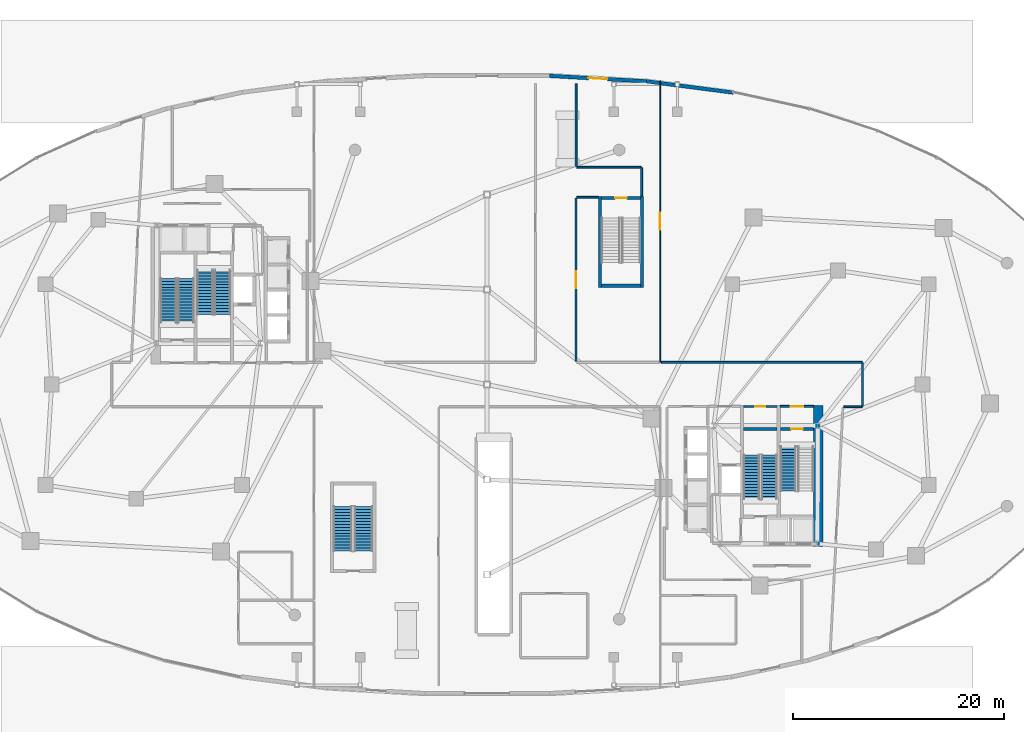
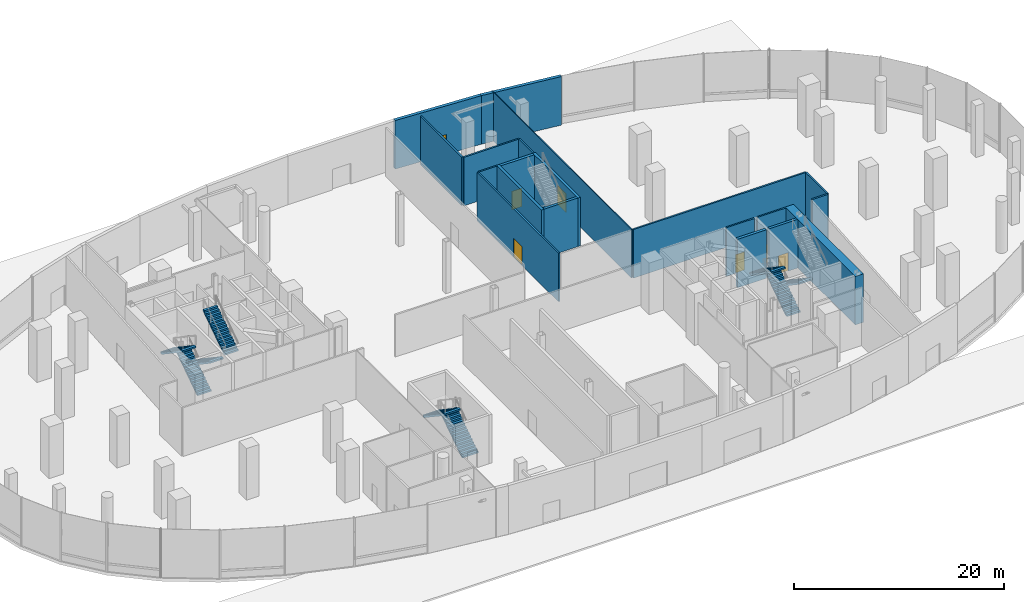
# One storey, part 16 of 20: 20 walls, 9 stair flights, 7 doors, 7 openings, 5 elements without a shape of their own.
"""IFC4 building model written with IfcOpenShell, lengths in metres."""

from ifc_helpers import new_model, si_unit, direction, frame, frame_2d, origin, place, context, subcontext, project, spatial, polyline, rectangle, outline, extrude, material, layer, layer_set, type_object, element, fill, aggregate, save


model = new_model("IFC4")

# Units and contexts
model_context = context("Model", 3, precision=1e-05, world=origin(), true_north=direction((0.0, 1.0)))
body_context = subcontext(model_context, "Body", "Model", "MODEL_VIEW")
ifc_project = project(units=[si_unit("LENGTHUNIT", "METRE"), si_unit("AREAUNIT", "SQUARE_METRE"), si_unit("VOLUMEUNIT", "CUBIC_METRE"), si_unit("PLANEANGLEUNIT", "RADIAN"), si_unit("MASSUNIT", "GRAM", prefix="KILO"), si_unit("THERMODYNAMICTEMPERATUREUNIT", "KELVIN"), si_unit("POWERUNIT", "WATT")], contexts=[model_context])

# Site, building, storey
site_placement = place(None, origin())
site = spatial("IfcSite", under=ifc_project, at=site_placement, CompositionType="ELEMENT")
building_placement = place(site_placement, origin())
building = spatial("IfcBuilding", under=site, at=building_placement, Name="Cundina Bronze Exchange", CompositionType="ELEMENT")
storey_placement = place(building_placement, origin())
storey = spatial("IfcBuildingStorey", under=building, at=storey_placement, Name="L00", CompositionType="ELEMENT", Elevation=0.0)

# Wall, opening, door
ifc_material_1 = material(Name="Gypsum Fireboard Partition EI120")
ifc_layer_1 = layer(ifc_material_1, 0.179931640625, Name="Gypsum Fireboard Partition EI120")
ifc_layer_set_1 = layer_set([ifc_layer_1], Name="Gypsum Fireboard Partition EI120")
wall_type_1 = type_object("IfcWallType", Name="WL-COR-180", PredefinedType="PARTITIONING", material=ifc_layer_set_1)
wall_1_placement = place(storey_placement, frame((27.739990234375, -2.06005859375, 0.0), z_axis=(0.0, 0.0, 1.0), x_axis=(1.0, 0.0, 0.0)))
wall_1 = element("IfcWall", 1, at=wall_1_placement, inside=storey, type_object=wall_type_1, Name="L00 E Stair Vestibule Exit Wall", PredefinedType="PARTITIONING", context=body_context, shape_type="SweptSolid", body=[
    extrude(rectangle(XDim=3.159912109375, YDim=0.179931640625, at=frame_2d((1.580078125, 0.0))), origin(), (0.0, 0.0, 1.0), 5.64990234375),
])
opening_1_placement = place(wall_1_placement, frame((0.97998046875, 0.0, 0.0)))
opening_1 = element("IfcOpeningElement", 2, at=opening_1_placement, cuts=wall_1, Name="Opening DF-01", PredefinedType="OPENING", context=body_context, shape_type="SweptSolid", body=[
    extrude(rectangle(XDim=1.199951171875, YDim=2.14990234375, at=frame_2d((0.60009765625, 1.074951171875))), frame((0.0, 0.099853515625, 0.0), z_axis=(0.0, -1.0, 0.0), x_axis=(1.0, 0.0, 0.0)), (0.0, 0.0, 1.0), 0.199951171875),
])
ifc_material_2 = material(Name="Steel ASTM A36 Painted", Category="steel")
door_type_1 = type_object("IfcDoorType", Name="DR-FFL-1200", OperationType="NOTDEFINED", PredefinedType="DOOR", material=ifc_material_2)
door_1_placement = place(opening_1_placement, origin())
door_1 = element("IfcDoor", 3, at=door_1_placement, inside=storey, type_object=door_type_1, Name="L00 E Stair Vestibule Door", OperationType="SINGLE_SWING_RIGHT", OverallHeight=2.14990234375, OverallWidth=1.199951171875, PredefinedType="DOOR", context=body_context, shape_type="SweptSolid", body=[
    extrude(rectangle(XDim=1.199951171875, YDim=2.14990234375, at=frame_2d((0.60009765625, 1.074951171875))), frame((0.0, 0.02490234375, 0.0), z_axis=(0.0, -1.0, 0.0), x_axis=(1.0, 0.0, 0.0)), (0.0, 0.0, 1.0), 0.050048828125),
])
fill(opening_1, door_1)

wall_2_placement = place(storey_placement, frame((24.300048828125, -2.070068359375, 0.0), z_axis=(0.0, 0.0, 1.0), x_axis=(1.0, 0.0, 0.0)))
wall_2 = element("IfcWall", 4, at=wall_2_placement, inside=storey, type_object=wall_type_1, Name="L00 Interior Partition 013", PredefinedType="PARTITIONING", context=body_context, shape_type="SweptSolid", body=[
    extrude(rectangle(XDim=3.119873046875, YDim=0.179931640625, at=frame_2d((1.56005859375, 0.0))), origin(), (0.0, 0.0, 1.0), 5.64990234375),
])
opening_2_placement = place(wall_2_placement, frame((1.0849609375, 0.0, 0.0)))
opening_2 = element("IfcOpeningElement", 5, at=opening_2_placement, cuts=wall_2, Name="Opening DW-01", PredefinedType="OPENING", context=body_context, shape_type="SweptSolid", body=[
    extrude(rectangle(XDim=0.949951171875, YDim=2.10009765625, at=frame_2d((0.47509765625, 1.050048828125))), frame((0.0, 0.099853515625, 0.0), z_axis=(0.0, -1.0, 0.0), x_axis=(1.0, 0.0, 0.0)), (0.0, 0.0, 1.0), 0.199951171875),
])
ifc_material_3 = material(Name="Solid Andean Oak Timber Grade A", Category="wood")
door_type_2 = type_object("IfcDoorType", Name="DR-WC-950", OperationType="NOTDEFINED", PredefinedType="DOOR", material=ifc_material_3)
door_2_placement = place(opening_2_placement, origin())
door_2 = element("IfcDoor", 6, at=door_2_placement, inside=storey, type_object=door_type_2, Name="L00 Interior Door 013", OperationType="SINGLE_SWING_RIGHT", OverallHeight=2.10009765625, OverallWidth=0.949951171875, PredefinedType="DOOR", context=body_context, shape_type="SweptSolid", body=[
    extrude(rectangle(XDim=0.949951171875, YDim=2.10009765625, at=frame_2d((0.47509765625, 1.050048828125))), frame((0.0, 0.02490234375, 0.0), z_axis=(0.0, -1.0, 0.0), x_axis=(1.0, 0.0, 0.0)), (0.0, 0.0, 1.0), 0.050048828125),
])
fill(opening_2, door_2)

wall_3_placement = place(storey_placement, frame((8.419921875, 2.179931640625, 0.0), z_axis=(0.0, 0.0, 1.0), x_axis=(0.0, 1.0, 0.0)))
wall_3 = element("IfcWall", 7, at=wall_3_placement, inside=storey, type_object=wall_type_1, Name="L00 Interior Partition 033", PredefinedType="PARTITIONING", context=body_context, shape_type="SweptSolid", body=[
    extrude(rectangle(XDim=15.469970703125, YDim=0.179931640625, at=frame_2d((7.73486328125, 0.0))), origin(), (0.0, 0.0, 1.0), 5.64990234375),
])
opening_3_placement = place(wall_3_placement, frame((6.93505859375, 0.0, 0.0)))
opening_3 = element("IfcOpeningElement", 8, at=opening_3_placement, cuts=wall_3, Name="Opening DO-02", PredefinedType="OPENING", context=body_context, shape_type="SweptSolid", body=[
    extrude(rectangle(XDim=1.60009765625, YDim=2.199951171875, at=frame_2d((0.800048828125, 1.10009765625))), frame((0.0, 0.099853515625, 0.0), z_axis=(0.0, -1.0, 0.0), x_axis=(1.0, 0.0, 0.0)), (0.0, 0.0, 1.0), 0.199951171875),
])
door_type_3 = type_object("IfcDoorType", Name="DR-TRD-1600", OperationType="NOTDEFINED", PredefinedType="DOOR", material=ifc_material_3)
door_3_placement = place(opening_3_placement, origin())
door_3 = element("IfcDoor", 9, at=door_3_placement, inside=storey, type_object=door_type_3, Name="L00 Interior Door 033", OperationType="SINGLE_SWING_RIGHT", OverallHeight=2.199951171875, OverallWidth=1.60009765625, PredefinedType="DOOR", context=body_context, shape_type="SweptSolid", body=[
    extrude(rectangle(XDim=1.60009765625, YDim=2.199951171875, at=frame_2d((0.800048828125, 1.10009765625))), frame((0.0, 0.02490234375, 0.0), z_axis=(0.0, -1.0, 0.0), x_axis=(1.0, 0.0, 0.0)), (0.0, 0.0, 1.0), 0.050048828125),
])
fill(opening_3, door_3)

# Walls
wall_4_placement = place(storey_placement, frame((8.419921875, 20.64990234375, 0.0), z_axis=(0.0, 0.0, 1.0), x_axis=(0.0, 1.0, 0.0)))
element("IfcWall", 10, at=wall_4_placement, inside=storey, type_object=wall_type_1, Name="L00 Interior Partition 034", PredefinedType="PARTITIONING", context=body_context, shape_type="SweptSolid", body=[
    extrude(rectangle(XDim=7.830078125, YDim=0.179931640625, at=frame_2d((3.9150390625, 0.0))), origin(), (0.0, 0.0, 1.0), 5.64990234375),
])
wall_5_placement = place(storey_placement, frame((14.57861328125, 20.570068359375, 0.0), z_axis=(0.0, 0.0, 1.0), x_axis=(-1.0, 0.0, 0.0)))
element("IfcWall", 11, at=wall_5_placement, inside=storey, type_object=wall_type_1, Name="L00 Interior Partition 036", PredefinedType="PARTITIONING", context=body_context, shape_type="SweptSolid", body=[
    extrude(rectangle(XDim=6.07861328125, YDim=0.179931640625, at=frame_2d((3.039306640625, 0.0))), origin(), (0.0, 0.0, 1.0), 5.64990234375),
])
wall_6_placement = place(storey_placement, frame((14.6201171875, 17.830810546875, 0.0), z_axis=(0.0, 0.0, 1.0), x_axis=(0.0, 1.0, 0.0)))
element("IfcWall", 12, at=wall_6_placement, inside=storey, type_object=wall_type_1, Name="L00 Interior Partition 037", PredefinedType="PARTITIONING", context=body_context, shape_type="SweptSolid", body=[
    extrude(rectangle(XDim=2.69775390625, YDim=0.179931640625, at=frame_2d((1.348876953125, 0.0))), origin(), (0.0, 0.0, 1.0), 5.64990234375),
])
wall_7_placement = place(storey_placement, frame((8.5, 17.72998046875, 0.0), z_axis=(0.0, 0.0, 1.0), x_axis=(1.0, 0.0, 0.0)))
element("IfcWall", 13, at=wall_7_placement, inside=storey, type_object=wall_type_1, Name="L00 Interior Partition 038", PredefinedType="PARTITIONING", context=body_context, shape_type="SweptSolid", body=[
    extrude(rectangle(XDim=2.029296875, YDim=0.179931640625, at=frame_2d((1.0146484375, 0.0))), origin(), (0.0, 0.0, 1.0), 5.64990234375),
])
wall_8_placement = place(storey_placement, frame((35.478515625, 2.10009765625, 0.0), z_axis=(0.0, 0.0, 1.0), x_axis=(-1.0, 0.0, 0.0)))
element("IfcWall", 14, at=wall_8_placement, inside=storey, type_object=wall_type_1, Name="L00 Interior Partition 050", PredefinedType="PARTITIONING", context=body_context, shape_type="SweptSolid", body=[
    extrude(rectangle(XDim=18.99853515625, YDim=0.179931640625, at=frame_2d((9.499267578125, 0.0))), origin(), (0.0, 0.0, 1.0), 5.64990234375),
])
wall_9_placement = place(storey_placement, frame((35.52001953125, -2.05859375, 0.0), z_axis=(0.0, 0.0, 1.0), x_axis=(0.0, 1.0, 0.0)))
element("IfcWall", 15, at=wall_9_placement, inside=storey, type_object=wall_type_1, Name="L00 Interior Partition 051", PredefinedType="PARTITIONING", context=body_context, shape_type="SweptSolid", body=[
    extrude(rectangle(XDim=4.1171875, YDim=0.179931640625, at=frame_2d((2.05859375, 0.0))), origin(), (0.0, 0.0, 1.0), 5.64990234375),
])
wall_10_placement = place(storey_placement, frame((33.75, -2.10009765625, 0.0), z_axis=(0.0, 0.0, 1.0), x_axis=(1.0, 0.0, 0.0)))
element("IfcWall", 16, at=wall_10_placement, inside=storey, type_object=wall_type_1, Name="L00 Interior Partition 052", PredefinedType="PARTITIONING", context=body_context, shape_type="SweptSolid", body=[
    extrude(rectangle(XDim=1.728515625, YDim=0.179931640625, at=frame_2d((0.8642578125, 0.0))), origin(), (0.0, 0.0, 1.0), 5.64990234375),
])
ifc_material_4 = material(Name="Concrete C60/75", Category="concrete")
ifc_layer_2 = layer(ifc_material_4, 0.89990234375, Name="Concrete C60/75", Category="concrete")
ifc_layer_set_2 = layer_set([ifc_layer_2], Name="Concrete C60/75")
wall_type_2 = type_object("IfcWallType", Name="WL-CORE-900", PredefinedType="SHEAR", material=ifc_layer_set_2)
wall_11_placement = place(storey_placement, frame((31.35009765625, -15.300048828125, 0.0), z_axis=(0.0, 0.0, 1.0), x_axis=(0.0, 1.0, 0.0)))
element("IfcWall", 17, at=wall_11_placement, inside=storey, type_object=wall_type_2, Name="L00 E Primary Core Shear Spine Wall", PredefinedType="SHEAR", context=body_context, shape_type="SweptSolid", body=[
    extrude(rectangle(XDim=13.330078125, YDim=0.89990234375, at=frame_2d((6.6650390625, 0.0))), origin(), (0.0, 0.0, 1.0), 5.64990234375),
])
ifc_material_5 = material(Name="Concrete C40/50", Category="concrete")
ifc_layer_3 = layer(ifc_material_5, 0.35009765625, Name="Concrete C40/50", Category="concrete")
ifc_layer_set_3 = layer_set([ifc_layer_3], Name="Concrete C40/50")
wall_type_3 = type_object("IfcWallType", Name="WL-EXT-350", PredefinedType="SOLIDWALL", material=ifc_layer_set_3)
wall_12_placement = place(storey_placement, frame((15.07861328125, 28.6982421875, 0.0), z_axis=(0.0, 0.0, 1.0), x_axis=(0.99168663472, -0.128676410104, 0.0)))
element("IfcWall", 18, at=wall_12_placement, inside=storey, type_object=wall_type_3, Name="L00 Podium Exterior Wall 08", PredefinedType="SOLIDWALL", context=body_context, shape_type="SweptSolid", body=[
    extrude(rectangle(XDim=8.28369140625, YDim=0.35009765625, at=frame_2d((4.141845703125, 0.0))), origin(), (0.0, 0.0, 1.0), 5.64990234375),
])

# Wall, opening, door
wall_13_placement = place(storey_placement, frame((5.892578125, 29.21630859375, 0.0), z_axis=(0.0, 0.0, 1.0), x_axis=(0.998413463137, -0.056307695976, 0.0)))
wall_13 = element("IfcWall", 19, at=wall_13_placement, inside=storey, type_object=wall_type_3, Name="L00 Podium Exterior Wall 09", PredefinedType="SOLIDWALL", context=body_context, shape_type="SweptSolid", body=[
    extrude(rectangle(XDim=9.20068359375, YDim=0.35009765625, at=frame_2d((4.600341796875, 0.0))), origin(), (0.0, 0.0, 1.0), 5.64990234375),
])
opening_4_placement = place(wall_13_placement, frame((3.699951171875, 0.0, 0.0)))
opening_4 = element("IfcOpeningElement", 20, at=opening_4_placement, cuts=wall_13, Name="Opening DE-02", PredefinedType="OPENING", context=body_context, shape_type="SweptSolid", body=[
    extrude(rectangle(XDim=1.800048828125, YDim=2.300048828125, at=frame_2d((0.89990234375, 1.14990234375))), frame((0.0, 0.18505859375, 0.0), z_axis=(0.0, -1.0, 0.0), x_axis=(1.0, 0.0, 0.0)), (0.0, 0.0, 1.0), 0.3701171875),
])
ifc_material_6 = material(Name="Anodised Bronze Aluminium 6063-T6", Category="aluminium")
door_type_4 = type_object("IfcDoorType", Name="DR-EXT-1800", OperationType="NOTDEFINED", PredefinedType="DOOR", material=ifc_material_6)
door_4_placement = place(opening_4_placement, origin())
door_4 = element("IfcDoor", 21, at=door_4_placement, inside=storey, type_object=door_type_4, Name="L00 Concourse Street Exit Door EX-09", OperationType="DOUBLE_DOOR_SINGLE_SWING", OverallHeight=2.300048828125, OverallWidth=1.800048828125, PredefinedType="DOOR", context=body_context, shape_type="SweptSolid", body=[
    extrude(rectangle(XDim=1.800048828125, YDim=2.300048828125, at=frame_2d((0.89990234375, 1.14990234375))), frame((0.0, 0.02490234375, 0.0), z_axis=(0.0, -1.0, 0.0), x_axis=(1.0, 0.0, 0.0)), (0.0, 0.0, 1.0), 0.050048828125),
])
fill(opening_4, door_4)

ifc_material_7 = material(Name="Clear Low-E Insulating Glass 26mm", Category="glass")
ifc_layer_4 = layer(ifc_material_7, 0.10009765625, Name="Clear Low-E Insulating Glass 26mm", Category="glass")
ifc_layer_set_4 = layer_set([ifc_layer_4], Name="Clear Low-E Insulating Glass 26mm")
wall_type_4 = type_object("IfcWallType", Name="WL-GLZ-100", PredefinedType="PARTITIONING", material=ifc_layer_set_4)
wall_14_placement = place(storey_placement, frame((16.3798828125, 2.1298828125, 0.0), z_axis=(0.0, 0.0, 1.0), x_axis=(0.0, 1.0, 0.0)))
wall_14 = element("IfcWall", 22, at=wall_14_placement, inside=storey, type_object=wall_type_4, Name="L00 Interior Partition 063", PredefinedType="PARTITIONING", context=body_context, shape_type="SweptSolid", body=[
    extrude(rectangle(XDim=26.61474609375, YDim=0.10009765625, at=frame_2d((13.307373046875, 0.0))), origin(), (0.0, 0.0, 1.0), 5.64990234375),
])
opening_5_placement = place(wall_14_placement, frame((12.50732421875, 0.0, 0.0)))
opening_5 = element("IfcOpeningElement", 23, at=opening_5_placement, cuts=wall_14, Name="Opening DO-02", PredefinedType="OPENING", context=body_context, shape_type="SweptSolid", body=[
    extrude(rectangle(XDim=1.60009765625, YDim=2.199951171875, at=frame_2d((0.800048828125, 1.10009765625))), frame((0.0, 0.06005859375, 0.0), z_axis=(0.0, -1.0, 0.0), x_axis=(1.0, 0.0, 0.0)), (0.0, 0.0, 1.0), 0.1201171875),
])
door_5_placement = place(opening_5_placement, origin())
door_5 = element("IfcDoor", 24, at=door_5_placement, inside=storey, type_object=door_type_3, Name="L00 Interior Door 063", OperationType="SINGLE_SWING_LEFT", OverallHeight=2.199951171875, OverallWidth=1.60009765625, PredefinedType="DOOR", context=body_context, shape_type="SweptSolid", body=[
    extrude(rectangle(XDim=1.60009765625, YDim=2.199951171875, at=frame_2d((0.800048828125, 1.10009765625))), frame((0.0, 0.02490234375, 0.0), z_axis=(0.0, -1.0, 0.0), x_axis=(1.0, 0.0, 0.0)), (0.0, 0.0, 1.0), 0.050048828125),
])
fill(opening_5, door_5)

# Walls
ifc_material_8 = material(Name="Concrete C50/60", Category="concrete")
ifc_layer_5 = layer(ifc_material_8, 0.300048828125, Name="Concrete C50/60", Category="concrete")
ifc_layer_set_5 = layer_set([ifc_layer_5], Name="Concrete C50/60")
wall_type_5 = type_object("IfcWallType", Name="WL-SHFT-300", PredefinedType="SHEAR", material=ifc_layer_set_5)
for number, where, z_axis, x_axis, name in (
    (25, (10.669921875, 9.199951171875, 0.0), (0.0, 0.0, 1.0), (0.0, 1.0, 0.0), "L00 Concourse Stair E West Shaft Wall"),
    (26, (14.669921875, 9.199951171875, 0.0), (0.0, 0.0, 1.0), (0.0, 1.0, 0.0), "L00 Concourse Stair E East Shaft Wall"),
):
    element("IfcWall", number, at=place(storey_placement, frame(where, z_axis=z_axis, x_axis=x_axis)), inside=storey, type_object=wall_type_5, Name=name, PredefinedType="SHEAR", context=body_context, shape_type="SweptSolid", body=[
        extrude(rectangle(XDim=8.60009765625, YDim=0.300048828125, at=frame_2d((4.300048828125, 0.0))), origin(), (0.0, 0.0, 1.0), 5.64990234375),
    ])

# Wall, opening, door
wall_15_placement = place(storey_placement, frame((10.820068359375, 17.64990234375, 0.0), z_axis=(0.0, 0.0, 1.0), x_axis=(1.0, 0.0, 0.0)))
wall_15 = element("IfcWall", 27, at=wall_15_placement, inside=storey, type_object=wall_type_5, Name="L00 Concourse Stair E Landing Wall", PredefinedType="SHEAR", context=body_context, shape_type="SweptSolid", body=[
    extrude(rectangle(XDim=3.699951171875, YDim=0.300048828125, at=frame_2d((1.85009765625, 0.0))), origin(), (0.0, 0.0, 1.0), 5.64990234375),
])
opening_6_placement = place(wall_15_placement, frame((1.300048828125, 0.0, 0.0)))
opening_6 = element("IfcOpeningElement", 28, at=opening_6_placement, cuts=wall_15, Name="Opening DS-01", PredefinedType="OPENING", context=body_context, shape_type="SweptSolid", body=[
    extrude(rectangle(XDim=1.10009765625, YDim=2.14990234375, at=frame_2d((0.550048828125, 1.074951171875))), frame((0.0, 0.159912109375, 0.0), z_axis=(0.0, -1.0, 0.0), x_axis=(1.0, 0.0, 0.0)), (0.0, 0.0, 1.0), 0.320068359375),
])
door_type_5 = type_object("IfcDoorType", Name="DR-STR-1100", OperationType="NOTDEFINED", PredefinedType="DOOR", material=ifc_material_2)
door_6_placement = place(opening_6_placement, origin())
door_6 = element("IfcDoor", 29, at=door_6_placement, inside=storey, type_object=door_type_5, Name="L00 Concourse Stair E Door", OperationType="SINGLE_SWING_RIGHT", OverallHeight=2.14990234375, OverallWidth=1.10009765625, PredefinedType="DOOR", context=body_context, shape_type="SweptSolid", body=[
    extrude(rectangle(XDim=1.10009765625, YDim=2.14990234375, at=frame_2d((0.550048828125, 1.074951171875))), frame((0.0, 0.02490234375, 0.0), z_axis=(0.0, -1.0, 0.0), x_axis=(1.0, 0.0, 0.0)), (0.0, 0.0, 1.0), 0.050048828125),
])
fill(opening_6, door_6)

# Wall
wall_16_placement = place(storey_placement, frame((10.820068359375, 9.35009765625, 0.0), z_axis=(0.0, 0.0, 1.0), x_axis=(1.0, 0.0, 0.0)))
element("IfcWall", 30, at=wall_16_placement, inside=storey, type_object=wall_type_5, Name="L00 Concourse Stair E Far Shaft Wall", PredefinedType="SHEAR", context=body_context, shape_type="SweptSolid", body=[
    extrude(rectangle(XDim=3.699951171875, YDim=0.300048828125, at=frame_2d((1.85009765625, 0.0))), origin(), (0.0, 0.0, 1.0), 5.64990234375),
])

# Wall, opening, door
wall_17_placement = place(storey_placement, frame((27.739990234375, -4.199951171875, 0.0), z_axis=(0.0, 0.0, 1.0), x_axis=(1.0, 0.0, 0.0)))
wall_17 = element("IfcWall", 31, at=wall_17_placement, inside=storey, type_object=wall_type_5, Name="L00 Stair E1 Landing Wall", PredefinedType="SHEAR", context=body_context, shape_type="SweptSolid", body=[
    extrude(rectangle(XDim=3.159912109375, YDim=0.300048828125, at=frame_2d((1.580078125, 0.0))), origin(), (0.0, 0.0, 1.0), 5.64990234375),
])
opening_7_placement = place(wall_17_placement, frame((1.030029296875, 0.0, 0.0)))
opening_7 = element("IfcOpeningElement", 32, at=opening_7_placement, cuts=wall_17, Name="Opening DS-01", PredefinedType="OPENING", context=body_context, shape_type="SweptSolid", body=[
    extrude(rectangle(XDim=1.10009765625, YDim=2.14990234375, at=frame_2d((0.550048828125, 1.074951171875))), frame((0.0, 0.159912109375, 0.0), z_axis=(0.0, -1.0, 0.0), x_axis=(1.0, 0.0, 0.0)), (0.0, 0.0, 1.0), 0.320068359375),
])
door_7_placement = place(opening_7_placement, origin())
door_7 = element("IfcDoor", 33, at=door_7_placement, inside=storey, type_object=door_type_5, Name="L00 Smokeproof Stair E1 Door", OperationType="SINGLE_SWING_LEFT", OverallHeight=2.14990234375, OverallWidth=1.10009765625, PredefinedType="DOOR", context=body_context, shape_type="SweptSolid", body=[
    extrude(rectangle(XDim=1.10009765625, YDim=2.14990234375, at=frame_2d((0.550048828125, 1.074951171875))), frame((0.0, 0.02490234375, 0.0), z_axis=(0.0, -1.0, 0.0), x_axis=(1.0, 0.0, 0.0)), (0.0, 0.0, 1.0), 0.050048828125),
])
fill(opening_7, door_7)

# Wall
wall_18_placement = place(storey_placement, frame((24.280029296875, -4.199951171875, 0.0), z_axis=(0.0, 0.0, 1.0), x_axis=(1.0, 0.0, 0.0)))
element("IfcWall", 34, at=wall_18_placement, inside=storey, type_object=wall_type_5, Name="L00 Stair E2 Far Shaft Wall", PredefinedType="SHEAR", context=body_context, shape_type="SweptSolid", body=[
    extrude(rectangle(XDim=3.159912109375, YDim=0.300048828125, at=frame_2d((1.580078125, 0.0))), origin(), (0.0, 0.0, 1.0), 5.64990234375),
])

# Stair, stair flights
stair_type_1 = type_object("IfcStairType", Name="STR-CON-600", PredefinedType="STRAIGHT_RUN_STAIR", material=ifc_material_5)
stair_1_placement = place(storey_placement, origin())
stair_1 = element("IfcStair", 35, at=stair_1_placement, inside=storey, type_object=stair_type_1, Name="L00 Concourse Exchange Stair W", PredefinedType="HALF_TURN_STAIR")
stair_flight_type_1 = type_object("IfcStairFlightType", Name="FLG-CON-300", PredefinedType="STRAIGHT", material=ifc_material_5)
stair_flight_1_placement = place(storey_placement, frame((-11.695068359375, -15.75, 0.0), z_axis=(0.0, 0.0, 1.0), x_axis=(0.0, 1.0, 0.0)))
stair_flight_1 = element("IfcStairFlight", 36, at=stair_flight_1_placement, type_object=stair_flight_type_1, Name="ST-PW flight 1", NumberOfRisers=16, NumberOfTreads=15, PredefinedType="STRAIGHT", RiserHeight=0.1875, TreadLength=0.28, context=body_context, shape_type="SweptSolid", body=[
    extrude(outline(polyline([(0.0, 0.0), (0.0, 0.1875), (0.280029296875, 0.1875), (0.280029296875, 0.375), (0.56005859375, 0.375), (0.56005859375, 0.5625), (0.840087890625, 0.5625), (0.840087890625, 0.75), (1.1201171875, 0.75), (1.1201171875, 0.9375), (1.39990234375, 0.9375), (1.39990234375, 1.125), (1.679931640625, 1.125), (1.679931640625, 1.3125), (1.9599609375, 1.3125), (1.9599609375, 1.5), (2.239990234375, 1.5), (2.239990234375, 1.6875), (2.52001953125, 1.6875), (2.52001953125, 1.875), (2.800048828125, 1.875), (2.800048828125, 2.0625), (3.080078125, 2.0625), (3.080078125, 2.25), (3.360107421875, 2.25), (3.360107421875, 2.4375), (3.639892578125, 2.4375), (3.639892578125, 2.625), (3.919921875, 2.625), (3.919921875, 2.8125), (4.199951171875, 2.8125), (4.199951171875, 3.0), (4.199951171875, 2.632080078125), (0.26953125, 0.0), (0.0, 0.0)])), frame((0.0, 0.875, 0.0), z_axis=(0.0, -1.0, 0.0), x_axis=(1.0, 0.0, 0.0)), (0.0, 0.0, 1.0), 1.75),
])
stair_flight_2_placement = place(storey_placement, frame((-13.64501953125, -11.550048828125, 3.0), z_axis=(0.0, 0.0, 1.0), x_axis=(0.0, -1.0, 0.0)))
stair_flight_2 = element("IfcStairFlight", 37, at=stair_flight_2_placement, type_object=stair_flight_type_1, Name="ST-PW flight 2", NumberOfRisers=16, NumberOfTreads=15, PredefinedType="STRAIGHT", RiserHeight=0.1875, TreadLength=0.28, context=body_context, shape_type="SweptSolid", body=[
    extrude(outline(polyline([(0.0, 0.0), (0.0, 0.1875), (0.280029296875, 0.1875), (0.280029296875, 0.375), (0.56005859375, 0.375), (0.56005859375, 0.5625), (0.840087890625, 0.5625), (0.840087890625, 0.75), (1.1201171875, 0.75), (1.1201171875, 0.9375), (1.39990234375, 0.9375), (1.39990234375, 1.125), (1.679931640625, 1.125), (1.679931640625, 1.3125), (1.9599609375, 1.3125), (1.9599609375, 1.5), (2.239990234375, 1.5), (2.239990234375, 1.6875), (2.52001953125, 1.6875), (2.52001953125, 1.875), (2.800048828125, 1.875), (2.800048828125, 2.0625), (3.080078125, 2.0625), (3.080078125, 2.25), (3.360107421875, 2.25), (3.360107421875, 2.4375), (3.639892578125, 2.4375), (3.639892578125, 2.625), (3.919921875, 2.625), (3.919921875, 2.8125), (4.199951171875, 2.8125), (4.199951171875, 3.0), (4.199951171875, 2.632080078125), (0.26953125, 0.0), (0.0, 0.0)])), frame((0.0, 0.875, 0.0), z_axis=(0.0, -1.0, 0.0), x_axis=(1.0, 0.0, 0.0)), (0.0, 0.0, 1.0), 1.75),
])
aggregate(stair_1, [stair_flight_1, stair_flight_2])

stair_type_2 = type_object("IfcStairType", Name="STR-POD-600", PredefinedType="HALF_TURN_STAIR", material=ifc_material_5)
stair_2_placement = place(storey_placement, origin())
stair_2 = element("IfcStair", 38, at=stair_2_placement, inside=storey, type_object=stair_type_2, Name="L00 Smokeproof Exit Stair W1", PredefinedType="HALF_TURN_STAIR")
stair_flight_type_2 = type_object("IfcStairFlightType", Name="FLG-POD-300", PredefinedType="STRAIGHT", material=ifc_material_5)
stair_flight_3_placement = place(storey_placement, frame((-28.489990234375, 5.85009765625, 0.0), z_axis=(0.0, 0.0, 1.0), x_axis=(0.0, 1.0, 0.0)))
stair_flight_3 = element("IfcStairFlight", 39, at=stair_flight_3_placement, type_object=stair_flight_type_2, Name="ST-W1 flight 1", NumberOfRisers=16, NumberOfTreads=15, PredefinedType="STRAIGHT", RiserHeight=0.1875, TreadLength=0.28, context=body_context, shape_type="SweptSolid", body=[
    extrude(outline(polyline([(0.0, 0.0), (0.0, 0.1875), (0.280029296875, 0.1875), (0.280029296875, 0.375), (0.56005859375, 0.375), (0.56005859375, 0.5625), (0.840087890625, 0.5625), (0.840087890625, 0.75), (1.1201171875, 0.75), (1.1201171875, 0.9375), (1.39990234375, 0.9375), (1.39990234375, 1.125), (1.679931640625, 1.125), (1.679931640625, 1.3125), (1.9599609375, 1.3125), (1.9599609375, 1.5), (2.239990234375, 1.5), (2.239990234375, 1.6875), (2.52001953125, 1.6875), (2.52001953125, 1.875), (2.800048828125, 1.875), (2.800048828125, 2.0625), (3.080078125, 2.0625), (3.080078125, 2.25), (3.360107421875, 2.25), (3.360107421875, 2.4375), (3.639892578125, 2.4375), (3.639892578125, 2.625), (3.919921875, 2.625), (3.919921875, 2.8125), (4.199951171875, 2.8125), (4.199951171875, 3.0), (4.199951171875, 2.632080078125), (0.26953125, 0.0), (0.0, 0.0)])), frame((0.0, 0.75, 0.0), z_axis=(0.0, -1.0, 0.0), x_axis=(1.0, 0.0, 0.0)), (0.0, 0.0, 1.0), 1.5),
])
stair_flight_4_placement = place(storey_placement, frame((-30.14990234375, 10.050048828125, 3.0), z_axis=(0.0, 0.0, 1.0), x_axis=(0.0, -1.0, 0.0)))
stair_flight_4 = element("IfcStairFlight", 40, at=stair_flight_4_placement, type_object=stair_flight_type_2, Name="ST-W1 flight 2", NumberOfRisers=16, NumberOfTreads=15, PredefinedType="STRAIGHT", RiserHeight=0.1875, TreadLength=0.28, context=body_context, shape_type="SweptSolid", body=[
    extrude(outline(polyline([(0.0, 0.0), (0.0, 0.1875), (0.280029296875, 0.1875), (0.280029296875, 0.375), (0.56005859375, 0.375), (0.56005859375, 0.5625), (0.840087890625, 0.5625), (0.840087890625, 0.75), (1.1201171875, 0.75), (1.1201171875, 0.9375), (1.39990234375, 0.9375), (1.39990234375, 1.125), (1.679931640625, 1.125), (1.679931640625, 1.3125), (1.9599609375, 1.3125), (1.9599609375, 1.5), (2.239990234375, 1.5), (2.239990234375, 1.6875), (2.52001953125, 1.6875), (2.52001953125, 1.875), (2.800048828125, 1.875), (2.800048828125, 2.0625), (3.080078125, 2.0625), (3.080078125, 2.25), (3.360107421875, 2.25), (3.360107421875, 2.4375), (3.639892578125, 2.4375), (3.639892578125, 2.625), (3.919921875, 2.625), (3.919921875, 2.8125), (4.199951171875, 2.8125), (4.199951171875, 3.0), (4.199951171875, 2.632080078125), (0.26953125, 0.0), (0.0, 0.0)])), frame((0.0, 0.75, 0.0), z_axis=(0.0, -1.0, 0.0), x_axis=(1.0, 0.0, 0.0)), (0.0, 0.0, 1.0), 1.5),
])
aggregate(stair_2, [stair_flight_3, stair_flight_4])

stair_3_placement = place(storey_placement, origin())
stair_3 = element("IfcStair", 41, at=stair_3_placement, inside=storey, type_object=stair_type_2, Name="L00 Smokeproof Exit Stair W2", PredefinedType="HALF_TURN_STAIR")
stair_flight_5_placement = place(storey_placement, frame((-26.68994140625, 10.85009765625, 0.0), z_axis=(0.0, 0.0, 1.0), x_axis=(0.0, -1.0, 0.0)))
stair_flight_5 = element("IfcStairFlight", 42, at=stair_flight_5_placement, type_object=stair_flight_type_2, Name="ST-W2 flight 1", NumberOfRisers=16, NumberOfTreads=15, PredefinedType="STRAIGHT", RiserHeight=0.1875, TreadLength=0.28, context=body_context, shape_type="SweptSolid", body=[
    extrude(outline(polyline([(0.0, 0.0), (0.0, 0.1875), (0.280029296875, 0.1875), (0.280029296875, 0.375), (0.56005859375, 0.375), (0.56005859375, 0.5625), (0.840087890625, 0.5625), (0.840087890625, 0.75), (1.1201171875, 0.75), (1.1201171875, 0.9375), (1.39990234375, 0.9375), (1.39990234375, 1.125), (1.679931640625, 1.125), (1.679931640625, 1.3125), (1.9599609375, 1.3125), (1.9599609375, 1.5), (2.239990234375, 1.5), (2.239990234375, 1.6875), (2.52001953125, 1.6875), (2.52001953125, 1.875), (2.800048828125, 1.875), (2.800048828125, 2.0625), (3.080078125, 2.0625), (3.080078125, 2.25), (3.360107421875, 2.25), (3.360107421875, 2.4375), (3.639892578125, 2.4375), (3.639892578125, 2.625), (3.919921875, 2.625), (3.919921875, 2.8125), (4.199951171875, 2.8125), (4.199951171875, 3.0), (4.199951171875, 2.632080078125), (0.26953125, 0.0), (0.0, 0.0)])), frame((0.0, 0.75, 0.0), z_axis=(0.0, -1.0, 0.0), x_axis=(1.0, 0.0, 0.0)), (0.0, 0.0, 1.0), 1.5),
])
stair_flight_6_placement = place(storey_placement, frame((-25.030029296875, 6.64990234375, 3.0), z_axis=(0.0, 0.0, 1.0), x_axis=(0.0, 1.0, 0.0)))
stair_flight_6 = element("IfcStairFlight", 43, at=stair_flight_6_placement, type_object=stair_flight_type_2, Name="ST-W2 flight 2", NumberOfRisers=16, NumberOfTreads=15, PredefinedType="STRAIGHT", RiserHeight=0.1875, TreadLength=0.28, context=body_context, shape_type="SweptSolid", body=[
    extrude(outline(polyline([(0.0, 0.0), (0.0, 0.1875), (0.280029296875, 0.1875), (0.280029296875, 0.375), (0.56005859375, 0.375), (0.56005859375, 0.5625), (0.840087890625, 0.5625), (0.840087890625, 0.75), (1.1201171875, 0.75), (1.1201171875, 0.9375), (1.39990234375, 0.9375), (1.39990234375, 1.125), (1.679931640625, 1.125), (1.679931640625, 1.3125), (1.9599609375, 1.3125), (1.9599609375, 1.5), (2.239990234375, 1.5), (2.239990234375, 1.6875), (2.52001953125, 1.6875), (2.52001953125, 1.875), (2.800048828125, 1.875), (2.800048828125, 2.0625), (3.080078125, 2.0625), (3.080078125, 2.25), (3.360107421875, 2.25), (3.360107421875, 2.4375), (3.639892578125, 2.4375), (3.639892578125, 2.625), (3.919921875, 2.625), (3.919921875, 2.8125), (4.199951171875, 2.8125), (4.199951171875, 3.0), (4.199951171875, 2.632080078125), (0.26953125, 0.0), (0.0, 0.0)])), frame((0.0, 0.75, 0.0), z_axis=(0.0, -1.0, 0.0), x_axis=(1.0, 0.0, 0.0)), (0.0, 0.0, 1.0), 1.5),
])
aggregate(stair_3, [stair_flight_5, stair_flight_6])

# Stair, stair flight
stair_4_placement = place(storey_placement, origin())
stair_4 = element("IfcStair", 44, at=stair_4_placement, inside=storey, type_object=stair_type_2, Name="L00 Smokeproof Exit Stair E1", PredefinedType="HALF_TURN_STAIR")
stair_flight_7_placement = place(storey_placement, frame((28.489990234375, -5.85009765625, 0.0), z_axis=(0.0, 0.0, 1.0), x_axis=(0.0, -1.0, 0.0)))
stair_flight_7 = element("IfcStairFlight", 45, at=stair_flight_7_placement, type_object=stair_flight_type_2, Name="ST-E1 flight 1", NumberOfRisers=16, NumberOfTreads=15, PredefinedType="STRAIGHT", RiserHeight=0.1875, TreadLength=0.28, context=body_context, shape_type="SweptSolid", body=[
    extrude(outline(polyline([(0.0, 0.0), (0.0, 0.1875), (0.280029296875, 0.1875), (0.280029296875, 0.375), (0.56005859375, 0.375), (0.56005859375, 0.5625), (0.840087890625, 0.5625), (0.840087890625, 0.75), (1.1201171875, 0.75), (1.1201171875, 0.9375), (1.39990234375, 0.9375), (1.39990234375, 1.125), (1.679931640625, 1.125), (1.679931640625, 1.3125), (1.9599609375, 1.3125), (1.9599609375, 1.5), (2.239990234375, 1.5), (2.239990234375, 1.6875), (2.52001953125, 1.6875), (2.52001953125, 1.875), (2.800048828125, 1.875), (2.800048828125, 2.0625), (3.080078125, 2.0625), (3.080078125, 2.25), (3.360107421875, 2.25), (3.360107421875, 2.4375), (3.639892578125, 2.4375), (3.639892578125, 2.625), (3.919921875, 2.625), (3.919921875, 2.8125), (4.199951171875, 2.8125), (4.199951171875, 3.0), (4.199951171875, 2.632080078125), (0.26953125, 0.0), (0.0, 0.0)])), frame((0.0, 0.75, 0.0), z_axis=(0.0, -1.0, 0.0), x_axis=(1.0, 0.0, 0.0)), (0.0, 0.0, 1.0), 1.5),
])
aggregate(stair_4, [stair_flight_7])

# Stair, stair flights
stair_5_placement = place(storey_placement, origin())
stair_5 = element("IfcStair", 46, at=stair_5_placement, inside=storey, type_object=stair_type_2, Name="L00 Smokeproof Exit Stair E2", PredefinedType="HALF_TURN_STAIR")
stair_flight_8_placement = place(storey_placement, frame((26.68994140625, -10.85009765625, 0.0), z_axis=(0.0, 0.0, 1.0), x_axis=(0.0, 1.0, 0.0)))
stair_flight_8 = element("IfcStairFlight", 47, at=stair_flight_8_placement, type_object=stair_flight_type_2, Name="ST-E2 flight 1", NumberOfRisers=16, NumberOfTreads=15, PredefinedType="STRAIGHT", RiserHeight=0.1875, TreadLength=0.28, context=body_context, shape_type="SweptSolid", body=[
    extrude(outline(polyline([(0.0, 0.0), (0.0, 0.1875), (0.280029296875, 0.1875), (0.280029296875, 0.375), (0.56005859375, 0.375), (0.56005859375, 0.5625), (0.840087890625, 0.5625), (0.840087890625, 0.75), (1.1201171875, 0.75), (1.1201171875, 0.9375), (1.39990234375, 0.9375), (1.39990234375, 1.125), (1.679931640625, 1.125), (1.679931640625, 1.3125), (1.9599609375, 1.3125), (1.9599609375, 1.5), (2.239990234375, 1.5), (2.239990234375, 1.6875), (2.52001953125, 1.6875), (2.52001953125, 1.875), (2.800048828125, 1.875), (2.800048828125, 2.0625), (3.080078125, 2.0625), (3.080078125, 2.25), (3.360107421875, 2.25), (3.360107421875, 2.4375), (3.639892578125, 2.4375), (3.639892578125, 2.625), (3.919921875, 2.625), (3.919921875, 2.8125), (4.199951171875, 2.8125), (4.199951171875, 3.0), (4.199951171875, 2.632080078125), (0.26953125, 0.0), (0.0, 0.0)])), frame((0.0, 0.75, 0.0), z_axis=(0.0, -1.0, 0.0), x_axis=(1.0, 0.0, 0.0)), (0.0, 0.0, 1.0), 1.5),
])
stair_flight_9_placement = place(storey_placement, frame((25.030029296875, -6.64990234375, 3.0), z_axis=(0.0, 0.0, 1.0), x_axis=(0.0, -1.0, 0.0)))
stair_flight_9 = element("IfcStairFlight", 48, at=stair_flight_9_placement, type_object=stair_flight_type_2, Name="ST-E2 flight 2", NumberOfRisers=16, NumberOfTreads=15, PredefinedType="STRAIGHT", RiserHeight=0.1875, TreadLength=0.28, context=body_context, shape_type="SweptSolid", body=[
    extrude(outline(polyline([(0.0, 0.0), (0.0, 0.1875), (0.280029296875, 0.1875), (0.280029296875, 0.375), (0.56005859375, 0.375), (0.56005859375, 0.5625), (0.840087890625, 0.5625), (0.840087890625, 0.75), (1.1201171875, 0.75), (1.1201171875, 0.9375), (1.39990234375, 0.9375), (1.39990234375, 1.125), (1.679931640625, 1.125), (1.679931640625, 1.3125), (1.9599609375, 1.3125), (1.9599609375, 1.5), (2.239990234375, 1.5), (2.239990234375, 1.6875), (2.52001953125, 1.6875), (2.52001953125, 1.875), (2.800048828125, 1.875), (2.800048828125, 2.0625), (3.080078125, 2.0625), (3.080078125, 2.25), (3.360107421875, 2.25), (3.360107421875, 2.4375), (3.639892578125, 2.4375), (3.639892578125, 2.625), (3.919921875, 2.625), (3.919921875, 2.8125), (4.199951171875, 2.8125), (4.199951171875, 3.0), (4.199951171875, 2.632080078125), (0.26953125, 0.0), (0.0, 0.0)])), frame((0.0, 0.75, 0.0), z_axis=(0.0, -1.0, 0.0), x_axis=(1.0, 0.0, 0.0)), (0.0, 0.0, 1.0), 1.5),
])
aggregate(stair_5, [stair_flight_8, stair_flight_9])

save(model, "model.ifc")
